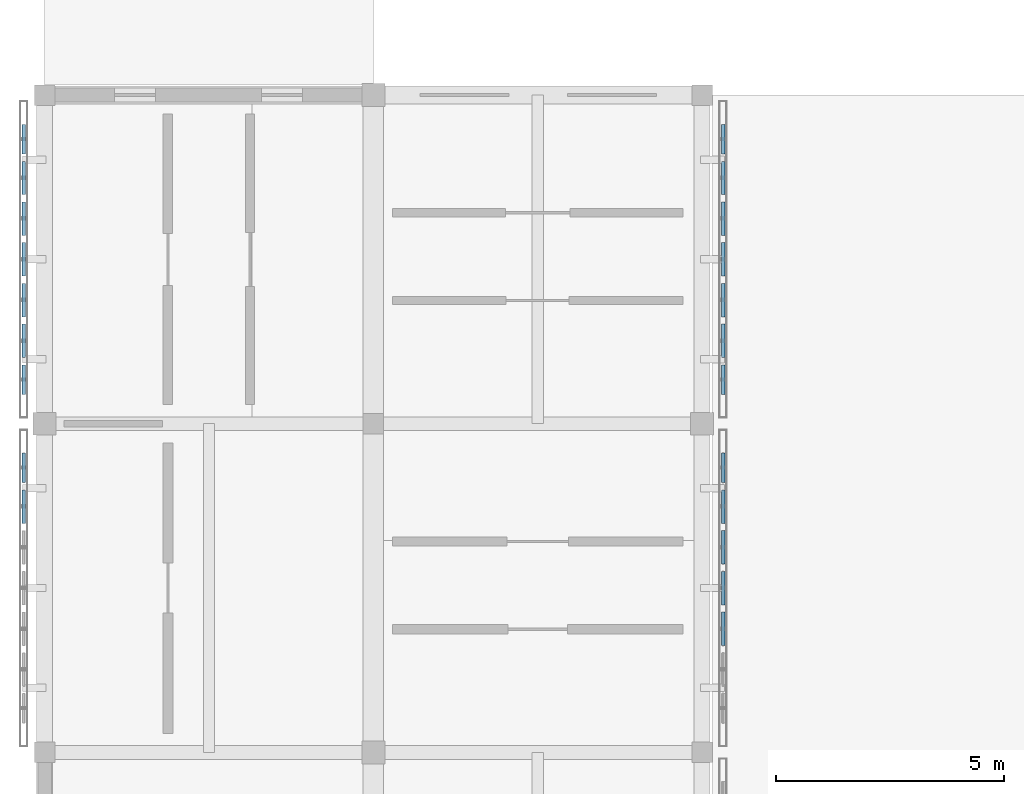
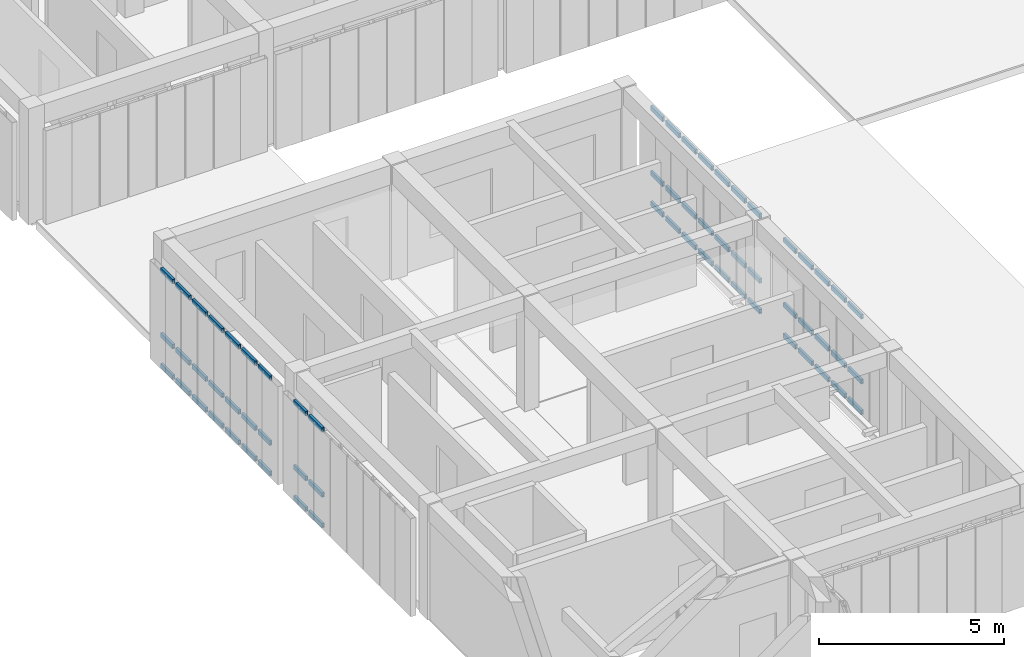
# One storey, part 15 of 67: 63 members, 4 elements without a shape of their own.
"""IFC4 building model written with IfcOpenShell, lengths in metres."""

from ifc_helpers import new_model, si_unit, direction, frame, origin, origin_2d, place, context, subcontext, project, spatial, hollow_rectangle, extrude, material, material_profile, profile_set, type_object, element, aggregate, save


model = new_model("IFC4")

# Units and contexts
model_context = context("Model", 3, precision=1e-05, world=origin(), true_north=direction((0.0, 1.0)))
body_context = subcontext(model_context, "Body", "Model", "MODEL_VIEW")
ifc_project = project(units=[si_unit("LENGTHUNIT", "METRE"), si_unit("AREAUNIT", "SQUARE_METRE"), si_unit("VOLUMEUNIT", "CUBIC_METRE"), si_unit("PLANEANGLEUNIT", "RADIAN"), si_unit("MASSUNIT", "GRAM", prefix="KILO")], contexts=[model_context])

# Site, building, storey
site_placement = place(None, origin())
site = spatial("IfcSite", under=ifc_project, at=site_placement, CompositionType="ELEMENT")
building_placement = place(site_placement, origin())
building = spatial("IfcBuilding", under=site, at=building_placement, Name="Aldebral Square Health Centre", CompositionType="ELEMENT")
storey_placement = place(building_placement, frame((0.0, 0.0, 13.5)))
storey = spatial("IfcBuildingStorey", under=building, at=storey_placement, Name="L03", CompositionType="ELEMENT", Elevation=13.5)

# Curtain wall, members
ifc_material_1 = material(Name="Aluminium and low-E solar glass", Category="aluminium")
curtain_wall_type = type_object("IfcCurtainWallType", Name="CW-FIN-SYS", PredefinedType="USERDEFINED", material=ifc_material_1)
curtain_wall_1_placement = place(storey_placement, origin())
curtain_wall_1 = element("IfcCurtainWall", 1, at=curtain_wall_1_placement, inside=storey, type_object=curtain_wall_type, Name="L03 V6 finned curtain wall L03-V6-00-05-W", ObjectType="SOLAR_CURTAIN_WALL", PredefinedType="USERDEFINED")
ifc_material_2 = material(Name="Anodised aluminium transom", Category="aluminium")
ifc_material_profile = material_profile(ifc_material_2, hollow_rectangle(XDim=0.074951171875, YDim=0.14990234375, WallThickness=0.00390625, at=origin_2d()), Name="CWT 75x150x4")
ifc_profile_set = profile_set([ifc_material_profile], Name="Anodised aluminium transom")
member_type = type_object("IfcMemberType", Name="CWT-STD", PredefinedType="USERDEFINED", material=ifc_profile_set)
member_1_placement = place(storey_placement, frame((-0.4599609375, 42.56005859375, 0.03759765625), z_axis=(0.0, -1.0, 0.0), x_axis=(1.0, 0.0, 0.0)))
member_1 = element("IfcMember", 2, at=member_1_placement, type_object=member_type, Name="CW1 transom 1.1", ObjectType="TRANSOM", PredefinedType="USERDEFINED", context=body_context, shape_type="SweptSolid", body=[
    extrude(hollow_rectangle(XDim=0.074951171875, YDim=0.14990234375, WallThickness=0.00390625, at=origin_2d()), origin(), (0.0, 0.0, 1.0), 0.6513671875),
])
member_2_placement = place(storey_placement, frame((-0.4599609375, 42.56005859375, 1.050048828125), z_axis=(0.0, -1.0, 0.0), x_axis=(1.0, 0.0, 0.0)))
member_2 = element("IfcMember", 3, at=member_2_placement, type_object=member_type, Name="CW1 transom 1.2", ObjectType="TRANSOM", PredefinedType="USERDEFINED", context=body_context, shape_type="SweptSolid", body=[
    extrude(hollow_rectangle(XDim=0.074951171875, YDim=0.14990234375, WallThickness=0.00390625, at=origin_2d()), origin(), (0.0, 0.0, 1.0), 0.6513671875),
])
member_3_placement = place(storey_placement, frame((-0.4599609375, 42.56005859375, 3.202392578125), z_axis=(0.0, -1.0, 0.0), x_axis=(1.0, 0.0, 0.0)))
member_3 = element("IfcMember", 4, at=member_3_placement, type_object=member_type, Name="CW1 transom 1.3", ObjectType="TRANSOM", PredefinedType="USERDEFINED", context=body_context, shape_type="SweptSolid", body=[
    extrude(hollow_rectangle(XDim=0.074951171875, YDim=0.14990234375, WallThickness=0.00390625, at=origin_2d()), origin(), (0.0, 0.0, 1.0), 0.6513671875),
])
member_4_placement = place(storey_placement, frame((-0.4599609375, 41.74853515625, 0.03759765625), z_axis=(0.0, -1.0, 0.0), x_axis=(1.0, 0.0, 0.0)))
member_4 = element("IfcMember", 5, at=member_4_placement, type_object=member_type, Name="CW1 transom 2.1", ObjectType="TRANSOM", PredefinedType="USERDEFINED", context=body_context, shape_type="SweptSolid", body=[
    extrude(hollow_rectangle(XDim=0.074951171875, YDim=0.14990234375, WallThickness=0.00390625, at=origin_2d()), origin(), (0.0, 0.0, 1.0), 0.7314453125),
])
member_5_placement = place(storey_placement, frame((-0.4599609375, 41.74853515625, 1.050048828125), z_axis=(0.0, -1.0, 0.0), x_axis=(1.0, 0.0, 0.0)))
member_5 = element("IfcMember", 6, at=member_5_placement, type_object=member_type, Name="CW1 transom 2.2", ObjectType="TRANSOM", PredefinedType="USERDEFINED", context=body_context, shape_type="SweptSolid", body=[
    extrude(hollow_rectangle(XDim=0.074951171875, YDim=0.14990234375, WallThickness=0.00390625, at=origin_2d()), origin(), (0.0, 0.0, 1.0), 0.7314453125),
])
member_6_placement = place(storey_placement, frame((-0.4599609375, 41.74853515625, 3.202392578125), z_axis=(0.0, -1.0, 0.0), x_axis=(1.0, 0.0, 0.0)))
member_6 = element("IfcMember", 7, at=member_6_placement, type_object=member_type, Name="CW1 transom 2.3", ObjectType="TRANSOM", PredefinedType="USERDEFINED", context=body_context, shape_type="SweptSolid", body=[
    extrude(hollow_rectangle(XDim=0.074951171875, YDim=0.14990234375, WallThickness=0.00390625, at=origin_2d()), origin(), (0.0, 0.0, 1.0), 0.7314453125),
])
aggregate(curtain_wall_1, [member_1, member_2, member_3, member_4, member_5, member_6])

curtain_wall_2_placement = place(storey_placement, origin())
curtain_wall_2 = element("IfcCurtainWall", 8, at=curtain_wall_2_placement, inside=storey, type_object=curtain_wall_type, Name="L03 V6 finned curtain wall L03-V6-00-06-W", ObjectType="SOLAR_CURTAIN_WALL", PredefinedType="USERDEFINED")
member_7_placement = place(storey_placement, frame((-0.4599609375, 49.760009765625, 0.03759765625), z_axis=(0.0, -1.0, 0.0), x_axis=(1.0, 0.0, 0.0)))
member_7 = element("IfcMember", 9, at=member_7_placement, type_object=member_type, Name="CW1 transom 1.1", ObjectType="TRANSOM", PredefinedType="USERDEFINED", context=body_context, shape_type="SweptSolid", body=[
    extrude(hollow_rectangle(XDim=0.074951171875, YDim=0.14990234375, WallThickness=0.00390625, at=origin_2d()), origin(), (0.0, 0.0, 1.0), 0.6513671875),
])
member_8_placement = place(storey_placement, frame((-0.4599609375, 49.760009765625, 1.050048828125), z_axis=(0.0, -1.0, 0.0), x_axis=(1.0, 0.0, 0.0)))
member_8 = element("IfcMember", 10, at=member_8_placement, type_object=member_type, Name="CW1 transom 1.2", ObjectType="TRANSOM", PredefinedType="USERDEFINED", context=body_context, shape_type="SweptSolid", body=[
    extrude(hollow_rectangle(XDim=0.074951171875, YDim=0.14990234375, WallThickness=0.00390625, at=origin_2d()), origin(), (0.0, 0.0, 1.0), 0.6513671875),
])
member_9_placement = place(storey_placement, frame((-0.4599609375, 49.760009765625, 3.202392578125), z_axis=(0.0, -1.0, 0.0), x_axis=(1.0, 0.0, 0.0)))
member_9 = element("IfcMember", 11, at=member_9_placement, type_object=member_type, Name="CW1 transom 1.3", ObjectType="TRANSOM", PredefinedType="USERDEFINED", context=body_context, shape_type="SweptSolid", body=[
    extrude(hollow_rectangle(XDim=0.074951171875, YDim=0.14990234375, WallThickness=0.00390625, at=origin_2d()), origin(), (0.0, 0.0, 1.0), 0.6513671875),
])
member_10_placement = place(storey_placement, frame((-0.4599609375, 48.948486328125, 0.03759765625), z_axis=(0.0, -1.0, 0.0), x_axis=(1.0, 0.0, 0.0)))
member_10 = element("IfcMember", 12, at=member_10_placement, type_object=member_type, Name="CW1 transom 2.1", ObjectType="TRANSOM", PredefinedType="USERDEFINED", context=body_context, shape_type="SweptSolid", body=[
    extrude(hollow_rectangle(XDim=0.074951171875, YDim=0.14990234375, WallThickness=0.00390625, at=origin_2d()), origin(), (0.0, 0.0, 1.0), 0.7314453125),
])
member_11_placement = place(storey_placement, frame((-0.4599609375, 48.948486328125, 1.050048828125), z_axis=(0.0, -1.0, 0.0), x_axis=(1.0, 0.0, 0.0)))
member_11 = element("IfcMember", 13, at=member_11_placement, type_object=member_type, Name="CW1 transom 2.2", ObjectType="TRANSOM", PredefinedType="USERDEFINED", context=body_context, shape_type="SweptSolid", body=[
    extrude(hollow_rectangle(XDim=0.074951171875, YDim=0.14990234375, WallThickness=0.00390625, at=origin_2d()), origin(), (0.0, 0.0, 1.0), 0.7314453125),
])
member_12_placement = place(storey_placement, frame((-0.4599609375, 48.948486328125, 3.202392578125), z_axis=(0.0, -1.0, 0.0), x_axis=(1.0, 0.0, 0.0)))
member_12 = element("IfcMember", 14, at=member_12_placement, type_object=member_type, Name="CW1 transom 2.3", ObjectType="TRANSOM", PredefinedType="USERDEFINED", context=body_context, shape_type="SweptSolid", body=[
    extrude(hollow_rectangle(XDim=0.074951171875, YDim=0.14990234375, WallThickness=0.00390625, at=origin_2d()), origin(), (0.0, 0.0, 1.0), 0.7314453125),
])
member_13_placement = place(storey_placement, frame((-0.4599609375, 48.05712890625, 0.03759765625), z_axis=(0.0, -1.0, 0.0), x_axis=(1.0, 0.0, 0.0)))
member_13 = element("IfcMember", 15, at=member_13_placement, type_object=member_type, Name="CW1 transom 3.1", ObjectType="TRANSOM", PredefinedType="USERDEFINED", context=body_context, shape_type="SweptSolid", body=[
    extrude(hollow_rectangle(XDim=0.074951171875, YDim=0.14990234375, WallThickness=0.00390625, at=origin_2d()), origin(), (0.0, 0.0, 1.0), 0.7314453125),
])
member_14_placement = place(storey_placement, frame((-0.4599609375, 48.05712890625, 1.050048828125), z_axis=(0.0, -1.0, 0.0), x_axis=(1.0, 0.0, 0.0)))
member_14 = element("IfcMember", 16, at=member_14_placement, type_object=member_type, Name="CW1 transom 3.2", ObjectType="TRANSOM", PredefinedType="USERDEFINED", context=body_context, shape_type="SweptSolid", body=[
    extrude(hollow_rectangle(XDim=0.074951171875, YDim=0.14990234375, WallThickness=0.00390625, at=origin_2d()), origin(), (0.0, 0.0, 1.0), 0.7314453125),
])
member_15_placement = place(storey_placement, frame((-0.4599609375, 48.05712890625, 3.202392578125), z_axis=(0.0, -1.0, 0.0), x_axis=(1.0, 0.0, 0.0)))
member_15 = element("IfcMember", 17, at=member_15_placement, type_object=member_type, Name="CW1 transom 3.3", ObjectType="TRANSOM", PredefinedType="USERDEFINED", context=body_context, shape_type="SweptSolid", body=[
    extrude(hollow_rectangle(XDim=0.074951171875, YDim=0.14990234375, WallThickness=0.00390625, at=origin_2d()), origin(), (0.0, 0.0, 1.0), 0.7314453125),
])
member_16_placement = place(storey_placement, frame((-0.4599609375, 47.165771484375, 0.03759765625), z_axis=(0.0, -1.0, 0.0), x_axis=(1.0, 0.0, 0.0)))
member_16 = element("IfcMember", 18, at=member_16_placement, type_object=member_type, Name="CW1 transom 4.1", ObjectType="TRANSOM", PredefinedType="USERDEFINED", context=body_context, shape_type="SweptSolid", body=[
    extrude(hollow_rectangle(XDim=0.074951171875, YDim=0.14990234375, WallThickness=0.00390625, at=origin_2d()), origin(), (0.0, 0.0, 1.0), 0.7314453125),
])
member_17_placement = place(storey_placement, frame((-0.4599609375, 47.165771484375, 1.050048828125), z_axis=(0.0, -1.0, 0.0), x_axis=(1.0, 0.0, 0.0)))
member_17 = element("IfcMember", 19, at=member_17_placement, type_object=member_type, Name="CW1 transom 4.2", ObjectType="TRANSOM", PredefinedType="USERDEFINED", context=body_context, shape_type="SweptSolid", body=[
    extrude(hollow_rectangle(XDim=0.074951171875, YDim=0.14990234375, WallThickness=0.00390625, at=origin_2d()), origin(), (0.0, 0.0, 1.0), 0.7314453125),
])
member_18_placement = place(storey_placement, frame((-0.4599609375, 47.165771484375, 3.202392578125), z_axis=(0.0, -1.0, 0.0), x_axis=(1.0, 0.0, 0.0)))
member_18 = element("IfcMember", 20, at=member_18_placement, type_object=member_type, Name="CW1 transom 4.3", ObjectType="TRANSOM", PredefinedType="USERDEFINED", context=body_context, shape_type="SweptSolid", body=[
    extrude(hollow_rectangle(XDim=0.074951171875, YDim=0.14990234375, WallThickness=0.00390625, at=origin_2d()), origin(), (0.0, 0.0, 1.0), 0.7314453125),
])
member_19_placement = place(storey_placement, frame((-0.4599609375, 46.274169921875, 0.03759765625), z_axis=(0.0, -1.0, 0.0), x_axis=(1.0, 0.0, 0.0)))
member_19 = element("IfcMember", 21, at=member_19_placement, type_object=member_type, Name="CW1 transom 5.1", ObjectType="TRANSOM", PredefinedType="USERDEFINED", context=body_context, shape_type="SweptSolid", body=[
    extrude(hollow_rectangle(XDim=0.074951171875, YDim=0.14990234375, WallThickness=0.00390625, at=origin_2d()), origin(), (0.0, 0.0, 1.0), 0.731201171875),
])
member_20_placement = place(storey_placement, frame((-0.4599609375, 46.274169921875, 1.050048828125), z_axis=(0.0, -1.0, 0.0), x_axis=(1.0, 0.0, 0.0)))
member_20 = element("IfcMember", 22, at=member_20_placement, type_object=member_type, Name="CW1 transom 5.2", ObjectType="TRANSOM", PredefinedType="USERDEFINED", context=body_context, shape_type="SweptSolid", body=[
    extrude(hollow_rectangle(XDim=0.074951171875, YDim=0.14990234375, WallThickness=0.00390625, at=origin_2d()), origin(), (0.0, 0.0, 1.0), 0.731201171875),
])
member_21_placement = place(storey_placement, frame((-0.4599609375, 46.274169921875, 3.202392578125), z_axis=(0.0, -1.0, 0.0), x_axis=(1.0, 0.0, 0.0)))
member_21 = element("IfcMember", 23, at=member_21_placement, type_object=member_type, Name="CW1 transom 5.3", ObjectType="TRANSOM", PredefinedType="USERDEFINED", context=body_context, shape_type="SweptSolid", body=[
    extrude(hollow_rectangle(XDim=0.074951171875, YDim=0.14990234375, WallThickness=0.00390625, at=origin_2d()), origin(), (0.0, 0.0, 1.0), 0.731201171875),
])
member_22_placement = place(storey_placement, frame((-0.4599609375, 45.3828125, 0.03759765625), z_axis=(0.0, -1.0, 0.0), x_axis=(1.0, 0.0, 0.0)))
member_22 = element("IfcMember", 24, at=member_22_placement, type_object=member_type, Name="CW1 transom 6.1", ObjectType="TRANSOM", PredefinedType="USERDEFINED", context=body_context, shape_type="SweptSolid", body=[
    extrude(hollow_rectangle(XDim=0.074951171875, YDim=0.14990234375, WallThickness=0.00390625, at=origin_2d()), origin(), (0.0, 0.0, 1.0), 0.7314453125),
])
member_23_placement = place(storey_placement, frame((-0.4599609375, 45.3828125, 1.050048828125), z_axis=(0.0, -1.0, 0.0), x_axis=(1.0, 0.0, 0.0)))
member_23 = element("IfcMember", 25, at=member_23_placement, type_object=member_type, Name="CW1 transom 6.2", ObjectType="TRANSOM", PredefinedType="USERDEFINED", context=body_context, shape_type="SweptSolid", body=[
    extrude(hollow_rectangle(XDim=0.074951171875, YDim=0.14990234375, WallThickness=0.00390625, at=origin_2d()), origin(), (0.0, 0.0, 1.0), 0.7314453125),
])
member_24_placement = place(storey_placement, frame((-0.4599609375, 45.3828125, 3.202392578125), z_axis=(0.0, -1.0, 0.0), x_axis=(1.0, 0.0, 0.0)))
member_24 = element("IfcMember", 26, at=member_24_placement, type_object=member_type, Name="CW1 transom 6.3", ObjectType="TRANSOM", PredefinedType="USERDEFINED", context=body_context, shape_type="SweptSolid", body=[
    extrude(hollow_rectangle(XDim=0.074951171875, YDim=0.14990234375, WallThickness=0.00390625, at=origin_2d()), origin(), (0.0, 0.0, 1.0), 0.7314453125),
])
member_25_placement = place(storey_placement, frame((-0.4599609375, 44.491455078125, 0.03759765625), z_axis=(0.0, -1.0, 0.0), x_axis=(1.0, 0.0, 0.0)))
member_25 = element("IfcMember", 27, at=member_25_placement, type_object=member_type, Name="CW1 transom 7.1", ObjectType="TRANSOM", PredefinedType="USERDEFINED", context=body_context, shape_type="SweptSolid", body=[
    extrude(hollow_rectangle(XDim=0.074951171875, YDim=0.14990234375, WallThickness=0.00390625, at=origin_2d()), origin(), (0.0, 0.0, 1.0), 0.6513671875),
])
member_26_placement = place(storey_placement, frame((-0.4599609375, 44.491455078125, 1.050048828125), z_axis=(0.0, -1.0, 0.0), x_axis=(1.0, 0.0, 0.0)))
member_26 = element("IfcMember", 28, at=member_26_placement, type_object=member_type, Name="CW1 transom 7.2", ObjectType="TRANSOM", PredefinedType="USERDEFINED", context=body_context, shape_type="SweptSolid", body=[
    extrude(hollow_rectangle(XDim=0.074951171875, YDim=0.14990234375, WallThickness=0.00390625, at=origin_2d()), origin(), (0.0, 0.0, 1.0), 0.6513671875),
])
member_27_placement = place(storey_placement, frame((-0.4599609375, 44.491455078125, 3.202392578125), z_axis=(0.0, -1.0, 0.0), x_axis=(1.0, 0.0, 0.0)))
member_27 = element("IfcMember", 29, at=member_27_placement, type_object=member_type, Name="CW1 transom 7.3", ObjectType="TRANSOM", PredefinedType="USERDEFINED", context=body_context, shape_type="SweptSolid", body=[
    extrude(hollow_rectangle(XDim=0.074951171875, YDim=0.14990234375, WallThickness=0.00390625, at=origin_2d()), origin(), (0.0, 0.0, 1.0), 0.6513671875),
])
aggregate(curtain_wall_2, [member_7, member_8, member_9, member_10, member_11, member_12, member_13, member_14, member_15, member_16, member_17, member_18, member_19, member_20, member_21, member_22, member_23, member_24, member_25, member_26, member_27])

curtain_wall_3_placement = place(storey_placement, origin())
curtain_wall_3 = element("IfcCurtainWall", 30, at=curtain_wall_3_placement, inside=storey, type_object=curtain_wall_type, Name="L03 V6 finned curtain wall L03-V6-01-05-E", ObjectType="SOLAR_CURTAIN_WALL", PredefinedType="USERDEFINED")
member_28_placement = place(storey_placement, frame((14.860107421875, 38.3427734375, 0.03759765625), z_axis=(0.0, 1.0, 0.0), x_axis=(-1.0, 0.0, 0.0)))
member_28 = element("IfcMember", 31, at=member_28_placement, type_object=member_type, Name="CW1 transom 3.1", ObjectType="TRANSOM", PredefinedType="USERDEFINED", context=body_context, shape_type="SweptSolid", body=[
    extrude(hollow_rectangle(XDim=0.074951171875, YDim=0.14990234375, WallThickness=0.00390625, at=origin_2d()), origin(), (0.0, 0.0, 1.0), 0.7314453125),
])
member_29_placement = place(storey_placement, frame((14.860107421875, 38.3427734375, 1.050048828125), z_axis=(0.0, 1.0, 0.0), x_axis=(-1.0, 0.0, 0.0)))
member_29 = element("IfcMember", 32, at=member_29_placement, type_object=member_type, Name="CW1 transom 3.2", ObjectType="TRANSOM", PredefinedType="USERDEFINED", context=body_context, shape_type="SweptSolid", body=[
    extrude(hollow_rectangle(XDim=0.074951171875, YDim=0.14990234375, WallThickness=0.00390625, at=origin_2d()), origin(), (0.0, 0.0, 1.0), 0.7314453125),
])
member_30_placement = place(storey_placement, frame((14.860107421875, 38.3427734375, 3.202392578125), z_axis=(0.0, 1.0, 0.0), x_axis=(-1.0, 0.0, 0.0)))
member_30 = element("IfcMember", 33, at=member_30_placement, type_object=member_type, Name="CW1 transom 3.3", ObjectType="TRANSOM", PredefinedType="USERDEFINED", context=body_context, shape_type="SweptSolid", body=[
    extrude(hollow_rectangle(XDim=0.074951171875, YDim=0.14990234375, WallThickness=0.00390625, at=origin_2d()), origin(), (0.0, 0.0, 1.0), 0.7314453125),
])
member_31_placement = place(storey_placement, frame((14.860107421875, 39.234375, 0.03759765625), z_axis=(0.0, 1.0, 0.0), x_axis=(-1.0, 0.0, 0.0)))
member_31 = element("IfcMember", 34, at=member_31_placement, type_object=member_type, Name="CW1 transom 4.1", ObjectType="TRANSOM", PredefinedType="USERDEFINED", context=body_context, shape_type="SweptSolid", body=[
    extrude(hollow_rectangle(XDim=0.074951171875, YDim=0.14990234375, WallThickness=0.00390625, at=origin_2d()), origin(), (0.0, 0.0, 1.0), 0.7314453125),
])
member_32_placement = place(storey_placement, frame((14.860107421875, 39.234375, 1.050048828125), z_axis=(0.0, 1.0, 0.0), x_axis=(-1.0, 0.0, 0.0)))
member_32 = element("IfcMember", 35, at=member_32_placement, type_object=member_type, Name="CW1 transom 4.2", ObjectType="TRANSOM", PredefinedType="USERDEFINED", context=body_context, shape_type="SweptSolid", body=[
    extrude(hollow_rectangle(XDim=0.074951171875, YDim=0.14990234375, WallThickness=0.00390625, at=origin_2d()), origin(), (0.0, 0.0, 1.0), 0.7314453125),
])
member_33_placement = place(storey_placement, frame((14.860107421875, 39.234375, 3.202392578125), z_axis=(0.0, 1.0, 0.0), x_axis=(-1.0, 0.0, 0.0)))
member_33 = element("IfcMember", 36, at=member_33_placement, type_object=member_type, Name="CW1 transom 4.3", ObjectType="TRANSOM", PredefinedType="USERDEFINED", context=body_context, shape_type="SweptSolid", body=[
    extrude(hollow_rectangle(XDim=0.074951171875, YDim=0.14990234375, WallThickness=0.00390625, at=origin_2d()), origin(), (0.0, 0.0, 1.0), 0.7314453125),
])
member_34_placement = place(storey_placement, frame((14.860107421875, 40.125732421875, 0.03759765625), z_axis=(0.0, 1.0, 0.0), x_axis=(-1.0, 0.0, 0.0)))
member_34 = element("IfcMember", 37, at=member_34_placement, type_object=member_type, Name="CW1 transom 5.1", ObjectType="TRANSOM", PredefinedType="USERDEFINED", context=body_context, shape_type="SweptSolid", body=[
    extrude(hollow_rectangle(XDim=0.074951171875, YDim=0.14990234375, WallThickness=0.00390625, at=origin_2d()), origin(), (0.0, 0.0, 1.0), 0.7314453125),
])
member_35_placement = place(storey_placement, frame((14.860107421875, 40.125732421875, 1.050048828125), z_axis=(0.0, 1.0, 0.0), x_axis=(-1.0, 0.0, 0.0)))
member_35 = element("IfcMember", 38, at=member_35_placement, type_object=member_type, Name="CW1 transom 5.2", ObjectType="TRANSOM", PredefinedType="USERDEFINED", context=body_context, shape_type="SweptSolid", body=[
    extrude(hollow_rectangle(XDim=0.074951171875, YDim=0.14990234375, WallThickness=0.00390625, at=origin_2d()), origin(), (0.0, 0.0, 1.0), 0.7314453125),
])
member_36_placement = place(storey_placement, frame((14.860107421875, 40.125732421875, 3.202392578125), z_axis=(0.0, 1.0, 0.0), x_axis=(-1.0, 0.0, 0.0)))
member_36 = element("IfcMember", 39, at=member_36_placement, type_object=member_type, Name="CW1 transom 5.3", ObjectType="TRANSOM", PredefinedType="USERDEFINED", context=body_context, shape_type="SweptSolid", body=[
    extrude(hollow_rectangle(XDim=0.074951171875, YDim=0.14990234375, WallThickness=0.00390625, at=origin_2d()), origin(), (0.0, 0.0, 1.0), 0.7314453125),
])
member_37_placement = place(storey_placement, frame((14.860107421875, 41.01708984375, 0.03759765625), z_axis=(0.0, 1.0, 0.0), x_axis=(-1.0, 0.0, 0.0)))
member_37 = element("IfcMember", 40, at=member_37_placement, type_object=member_type, Name="CW1 transom 6.1", ObjectType="TRANSOM", PredefinedType="USERDEFINED", context=body_context, shape_type="SweptSolid", body=[
    extrude(hollow_rectangle(XDim=0.074951171875, YDim=0.14990234375, WallThickness=0.00390625, at=origin_2d()), origin(), (0.0, 0.0, 1.0), 0.7314453125),
])
member_38_placement = place(storey_placement, frame((14.860107421875, 41.01708984375, 1.050048828125), z_axis=(0.0, 1.0, 0.0), x_axis=(-1.0, 0.0, 0.0)))
member_38 = element("IfcMember", 41, at=member_38_placement, type_object=member_type, Name="CW1 transom 6.2", ObjectType="TRANSOM", PredefinedType="USERDEFINED", context=body_context, shape_type="SweptSolid", body=[
    extrude(hollow_rectangle(XDim=0.074951171875, YDim=0.14990234375, WallThickness=0.00390625, at=origin_2d()), origin(), (0.0, 0.0, 1.0), 0.7314453125),
])
member_39_placement = place(storey_placement, frame((14.860107421875, 41.01708984375, 3.202392578125), z_axis=(0.0, 1.0, 0.0), x_axis=(-1.0, 0.0, 0.0)))
member_39 = element("IfcMember", 42, at=member_39_placement, type_object=member_type, Name="CW1 transom 6.3", ObjectType="TRANSOM", PredefinedType="USERDEFINED", context=body_context, shape_type="SweptSolid", body=[
    extrude(hollow_rectangle(XDim=0.074951171875, YDim=0.14990234375, WallThickness=0.00390625, at=origin_2d()), origin(), (0.0, 0.0, 1.0), 0.7314453125),
])
member_40_placement = place(storey_placement, frame((14.860107421875, 41.90869140625, 0.03759765625), z_axis=(0.0, 1.0, 0.0), x_axis=(-1.0, 0.0, 0.0)))
member_40 = element("IfcMember", 43, at=member_40_placement, type_object=member_type, Name="CW1 transom 7.1", ObjectType="TRANSOM", PredefinedType="USERDEFINED", context=body_context, shape_type="SweptSolid", body=[
    extrude(hollow_rectangle(XDim=0.074951171875, YDim=0.14990234375, WallThickness=0.00390625, at=origin_2d()), origin(), (0.0, 0.0, 1.0), 0.6513671875),
])
member_41_placement = place(storey_placement, frame((14.860107421875, 41.90869140625, 1.050048828125), z_axis=(0.0, 1.0, 0.0), x_axis=(-1.0, 0.0, 0.0)))
member_41 = element("IfcMember", 44, at=member_41_placement, type_object=member_type, Name="CW1 transom 7.2", ObjectType="TRANSOM", PredefinedType="USERDEFINED", context=body_context, shape_type="SweptSolid", body=[
    extrude(hollow_rectangle(XDim=0.074951171875, YDim=0.14990234375, WallThickness=0.00390625, at=origin_2d()), origin(), (0.0, 0.0, 1.0), 0.6513671875),
])
member_42_placement = place(storey_placement, frame((14.860107421875, 41.90869140625, 3.202392578125), z_axis=(0.0, 1.0, 0.0), x_axis=(-1.0, 0.0, 0.0)))
member_42 = element("IfcMember", 45, at=member_42_placement, type_object=member_type, Name="CW1 transom 7.3", ObjectType="TRANSOM", PredefinedType="USERDEFINED", context=body_context, shape_type="SweptSolid", body=[
    extrude(hollow_rectangle(XDim=0.074951171875, YDim=0.14990234375, WallThickness=0.00390625, at=origin_2d()), origin(), (0.0, 0.0, 1.0), 0.6513671875),
])
aggregate(curtain_wall_3, [member_28, member_29, member_30, member_31, member_32, member_33, member_34, member_35, member_36, member_37, member_38, member_39, member_40, member_41, member_42])

curtain_wall_4_placement = place(storey_placement, origin())
curtain_wall_4 = element("IfcCurtainWall", 46, at=curtain_wall_4_placement, inside=storey, type_object=curtain_wall_type, Name="L03 V6 finned curtain wall L03-V6-01-06-E", ObjectType="SOLAR_CURTAIN_WALL", PredefinedType="USERDEFINED")
member_43_placement = place(storey_placement, frame((14.860107421875, 43.840087890625, 0.03759765625), z_axis=(0.0, 1.0, 0.0), x_axis=(-1.0, 0.0, 0.0)))
member_43 = element("IfcMember", 47, at=member_43_placement, type_object=member_type, Name="CW1 transom 1.1", ObjectType="TRANSOM", PredefinedType="USERDEFINED", context=body_context, shape_type="SweptSolid", body=[
    extrude(hollow_rectangle(XDim=0.074951171875, YDim=0.14990234375, WallThickness=0.00390625, at=origin_2d()), origin(), (0.0, 0.0, 1.0), 0.6513671875),
])
member_44_placement = place(storey_placement, frame((14.860107421875, 43.840087890625, 1.050048828125), z_axis=(0.0, 1.0, 0.0), x_axis=(-1.0, 0.0, 0.0)))
member_44 = element("IfcMember", 48, at=member_44_placement, type_object=member_type, Name="CW1 transom 1.2", ObjectType="TRANSOM", PredefinedType="USERDEFINED", context=body_context, shape_type="SweptSolid", body=[
    extrude(hollow_rectangle(XDim=0.074951171875, YDim=0.14990234375, WallThickness=0.00390625, at=origin_2d()), origin(), (0.0, 0.0, 1.0), 0.6513671875),
])
member_45_placement = place(storey_placement, frame((14.860107421875, 43.840087890625, 3.202392578125), z_axis=(0.0, 1.0, 0.0), x_axis=(-1.0, 0.0, 0.0)))
member_45 = element("IfcMember", 49, at=member_45_placement, type_object=member_type, Name="CW1 transom 1.3", ObjectType="TRANSOM", PredefinedType="USERDEFINED", context=body_context, shape_type="SweptSolid", body=[
    extrude(hollow_rectangle(XDim=0.074951171875, YDim=0.14990234375, WallThickness=0.00390625, at=origin_2d()), origin(), (0.0, 0.0, 1.0), 0.6513671875),
])
member_46_placement = place(storey_placement, frame((14.860107421875, 44.6513671875, 0.03759765625), z_axis=(0.0, 1.0, 0.0), x_axis=(-1.0, 0.0, 0.0)))
member_46 = element("IfcMember", 50, at=member_46_placement, type_object=member_type, Name="CW1 transom 2.1", ObjectType="TRANSOM", PredefinedType="USERDEFINED", context=body_context, shape_type="SweptSolid", body=[
    extrude(hollow_rectangle(XDim=0.074951171875, YDim=0.14990234375, WallThickness=0.00390625, at=origin_2d()), origin(), (0.0, 0.0, 1.0), 0.7314453125),
])
member_47_placement = place(storey_placement, frame((14.860107421875, 44.6513671875, 1.050048828125), z_axis=(0.0, 1.0, 0.0), x_axis=(-1.0, 0.0, 0.0)))
member_47 = element("IfcMember", 51, at=member_47_placement, type_object=member_type, Name="CW1 transom 2.2", ObjectType="TRANSOM", PredefinedType="USERDEFINED", context=body_context, shape_type="SweptSolid", body=[
    extrude(hollow_rectangle(XDim=0.074951171875, YDim=0.14990234375, WallThickness=0.00390625, at=origin_2d()), origin(), (0.0, 0.0, 1.0), 0.7314453125),
])
member_48_placement = place(storey_placement, frame((14.860107421875, 44.6513671875, 3.202392578125), z_axis=(0.0, 1.0, 0.0), x_axis=(-1.0, 0.0, 0.0)))
member_48 = element("IfcMember", 52, at=member_48_placement, type_object=member_type, Name="CW1 transom 2.3", ObjectType="TRANSOM", PredefinedType="USERDEFINED", context=body_context, shape_type="SweptSolid", body=[
    extrude(hollow_rectangle(XDim=0.074951171875, YDim=0.14990234375, WallThickness=0.00390625, at=origin_2d()), origin(), (0.0, 0.0, 1.0), 0.7314453125),
])
member_49_placement = place(storey_placement, frame((14.860107421875, 45.54296875, 0.03759765625), z_axis=(0.0, 1.0, 0.0), x_axis=(-1.0, 0.0, 0.0)))
member_49 = element("IfcMember", 53, at=member_49_placement, type_object=member_type, Name="CW1 transom 3.1", ObjectType="TRANSOM", PredefinedType="USERDEFINED", context=body_context, shape_type="SweptSolid", body=[
    extrude(hollow_rectangle(XDim=0.074951171875, YDim=0.14990234375, WallThickness=0.00390625, at=origin_2d()), origin(), (0.0, 0.0, 1.0), 0.731201171875),
])
member_50_placement = place(storey_placement, frame((14.860107421875, 45.54296875, 1.050048828125), z_axis=(0.0, 1.0, 0.0), x_axis=(-1.0, 0.0, 0.0)))
member_50 = element("IfcMember", 54, at=member_50_placement, type_object=member_type, Name="CW1 transom 3.2", ObjectType="TRANSOM", PredefinedType="USERDEFINED", context=body_context, shape_type="SweptSolid", body=[
    extrude(hollow_rectangle(XDim=0.074951171875, YDim=0.14990234375, WallThickness=0.00390625, at=origin_2d()), origin(), (0.0, 0.0, 1.0), 0.731201171875),
])
member_51_placement = place(storey_placement, frame((14.860107421875, 45.54296875, 3.202392578125), z_axis=(0.0, 1.0, 0.0), x_axis=(-1.0, 0.0, 0.0)))
member_51 = element("IfcMember", 55, at=member_51_placement, type_object=member_type, Name="CW1 transom 3.3", ObjectType="TRANSOM", PredefinedType="USERDEFINED", context=body_context, shape_type="SweptSolid", body=[
    extrude(hollow_rectangle(XDim=0.074951171875, YDim=0.14990234375, WallThickness=0.00390625, at=origin_2d()), origin(), (0.0, 0.0, 1.0), 0.731201171875),
])
member_52_placement = place(storey_placement, frame((14.860107421875, 46.434326171875, 0.03759765625), z_axis=(0.0, 1.0, 0.0), x_axis=(-1.0, 0.0, 0.0)))
member_52 = element("IfcMember", 56, at=member_52_placement, type_object=member_type, Name="CW1 transom 4.1", ObjectType="TRANSOM", PredefinedType="USERDEFINED", context=body_context, shape_type="SweptSolid", body=[
    extrude(hollow_rectangle(XDim=0.074951171875, YDim=0.14990234375, WallThickness=0.00390625, at=origin_2d()), origin(), (0.0, 0.0, 1.0), 0.7314453125),
])
member_53_placement = place(storey_placement, frame((14.860107421875, 46.434326171875, 1.050048828125), z_axis=(0.0, 1.0, 0.0), x_axis=(-1.0, 0.0, 0.0)))
member_53 = element("IfcMember", 57, at=member_53_placement, type_object=member_type, Name="CW1 transom 4.2", ObjectType="TRANSOM", PredefinedType="USERDEFINED", context=body_context, shape_type="SweptSolid", body=[
    extrude(hollow_rectangle(XDim=0.074951171875, YDim=0.14990234375, WallThickness=0.00390625, at=origin_2d()), origin(), (0.0, 0.0, 1.0), 0.7314453125),
])
member_54_placement = place(storey_placement, frame((14.860107421875, 46.434326171875, 3.202392578125), z_axis=(0.0, 1.0, 0.0), x_axis=(-1.0, 0.0, 0.0)))
member_54 = element("IfcMember", 58, at=member_54_placement, type_object=member_type, Name="CW1 transom 4.3", ObjectType="TRANSOM", PredefinedType="USERDEFINED", context=body_context, shape_type="SweptSolid", body=[
    extrude(hollow_rectangle(XDim=0.074951171875, YDim=0.14990234375, WallThickness=0.00390625, at=origin_2d()), origin(), (0.0, 0.0, 1.0), 0.7314453125),
])
member_55_placement = place(storey_placement, frame((14.860107421875, 47.32568359375, 0.03759765625), z_axis=(0.0, 1.0, 0.0), x_axis=(-1.0, 0.0, 0.0)))
member_55 = element("IfcMember", 59, at=member_55_placement, type_object=member_type, Name="CW1 transom 5.1", ObjectType="TRANSOM", PredefinedType="USERDEFINED", context=body_context, shape_type="SweptSolid", body=[
    extrude(hollow_rectangle(XDim=0.074951171875, YDim=0.14990234375, WallThickness=0.00390625, at=origin_2d()), origin(), (0.0, 0.0, 1.0), 0.7314453125),
])
member_56_placement = place(storey_placement, frame((14.860107421875, 47.32568359375, 1.050048828125), z_axis=(0.0, 1.0, 0.0), x_axis=(-1.0, 0.0, 0.0)))
member_56 = element("IfcMember", 60, at=member_56_placement, type_object=member_type, Name="CW1 transom 5.2", ObjectType="TRANSOM", PredefinedType="USERDEFINED", context=body_context, shape_type="SweptSolid", body=[
    extrude(hollow_rectangle(XDim=0.074951171875, YDim=0.14990234375, WallThickness=0.00390625, at=origin_2d()), origin(), (0.0, 0.0, 1.0), 0.7314453125),
])
member_57_placement = place(storey_placement, frame((14.860107421875, 47.32568359375, 3.202392578125), z_axis=(0.0, 1.0, 0.0), x_axis=(-1.0, 0.0, 0.0)))
member_57 = element("IfcMember", 61, at=member_57_placement, type_object=member_type, Name="CW1 transom 5.3", ObjectType="TRANSOM", PredefinedType="USERDEFINED", context=body_context, shape_type="SweptSolid", body=[
    extrude(hollow_rectangle(XDim=0.074951171875, YDim=0.14990234375, WallThickness=0.00390625, at=origin_2d()), origin(), (0.0, 0.0, 1.0), 0.7314453125),
])
member_58_placement = place(storey_placement, frame((14.860107421875, 48.217041015625, 0.03759765625), z_axis=(0.0, 1.0, 0.0), x_axis=(-1.0, 0.0, 0.0)))
member_58 = element("IfcMember", 62, at=member_58_placement, type_object=member_type, Name="CW1 transom 6.1", ObjectType="TRANSOM", PredefinedType="USERDEFINED", context=body_context, shape_type="SweptSolid", body=[
    extrude(hollow_rectangle(XDim=0.074951171875, YDim=0.14990234375, WallThickness=0.00390625, at=origin_2d()), origin(), (0.0, 0.0, 1.0), 0.7314453125),
])
member_59_placement = place(storey_placement, frame((14.860107421875, 48.217041015625, 1.050048828125), z_axis=(0.0, 1.0, 0.0), x_axis=(-1.0, 0.0, 0.0)))
member_59 = element("IfcMember", 63, at=member_59_placement, type_object=member_type, Name="CW1 transom 6.2", ObjectType="TRANSOM", PredefinedType="USERDEFINED", context=body_context, shape_type="SweptSolid", body=[
    extrude(hollow_rectangle(XDim=0.074951171875, YDim=0.14990234375, WallThickness=0.00390625, at=origin_2d()), origin(), (0.0, 0.0, 1.0), 0.7314453125),
])
member_60_placement = place(storey_placement, frame((14.860107421875, 48.217041015625, 3.202392578125), z_axis=(0.0, 1.0, 0.0), x_axis=(-1.0, 0.0, 0.0)))
member_60 = element("IfcMember", 64, at=member_60_placement, type_object=member_type, Name="CW1 transom 6.3", ObjectType="TRANSOM", PredefinedType="USERDEFINED", context=body_context, shape_type="SweptSolid", body=[
    extrude(hollow_rectangle(XDim=0.074951171875, YDim=0.14990234375, WallThickness=0.00390625, at=origin_2d()), origin(), (0.0, 0.0, 1.0), 0.7314453125),
])
member_61_placement = place(storey_placement, frame((14.860107421875, 49.108642578125, 0.03759765625), z_axis=(0.0, 1.0, 0.0), x_axis=(-1.0, 0.0, 0.0)))
member_61 = element("IfcMember", 65, at=member_61_placement, type_object=member_type, Name="CW1 transom 7.1", ObjectType="TRANSOM", PredefinedType="USERDEFINED", context=body_context, shape_type="SweptSolid", body=[
    extrude(hollow_rectangle(XDim=0.074951171875, YDim=0.14990234375, WallThickness=0.00390625, at=origin_2d()), origin(), (0.0, 0.0, 1.0), 0.6513671875),
])
member_62_placement = place(storey_placement, frame((14.860107421875, 49.108642578125, 1.050048828125), z_axis=(0.0, 1.0, 0.0), x_axis=(-1.0, 0.0, 0.0)))
member_62 = element("IfcMember", 66, at=member_62_placement, type_object=member_type, Name="CW1 transom 7.2", ObjectType="TRANSOM", PredefinedType="USERDEFINED", context=body_context, shape_type="SweptSolid", body=[
    extrude(hollow_rectangle(XDim=0.074951171875, YDim=0.14990234375, WallThickness=0.00390625, at=origin_2d()), origin(), (0.0, 0.0, 1.0), 0.6513671875),
])
member_63_placement = place(storey_placement, frame((14.860107421875, 49.108642578125, 3.202392578125), z_axis=(0.0, 1.0, 0.0), x_axis=(-1.0, 0.0, 0.0)))
member_63 = element("IfcMember", 67, at=member_63_placement, type_object=member_type, Name="CW1 transom 7.3", ObjectType="TRANSOM", PredefinedType="USERDEFINED", context=body_context, shape_type="SweptSolid", body=[
    extrude(hollow_rectangle(XDim=0.074951171875, YDim=0.14990234375, WallThickness=0.00390625, at=origin_2d()), origin(), (0.0, 0.0, 1.0), 0.6513671875),
])
aggregate(curtain_wall_4, [member_43, member_44, member_45, member_46, member_47, member_48, member_49, member_50, member_51, member_52, member_53, member_54, member_55, member_56, member_57, member_58, member_59, member_60, member_61, member_62, member_63])

save(model, "model.ifc")
